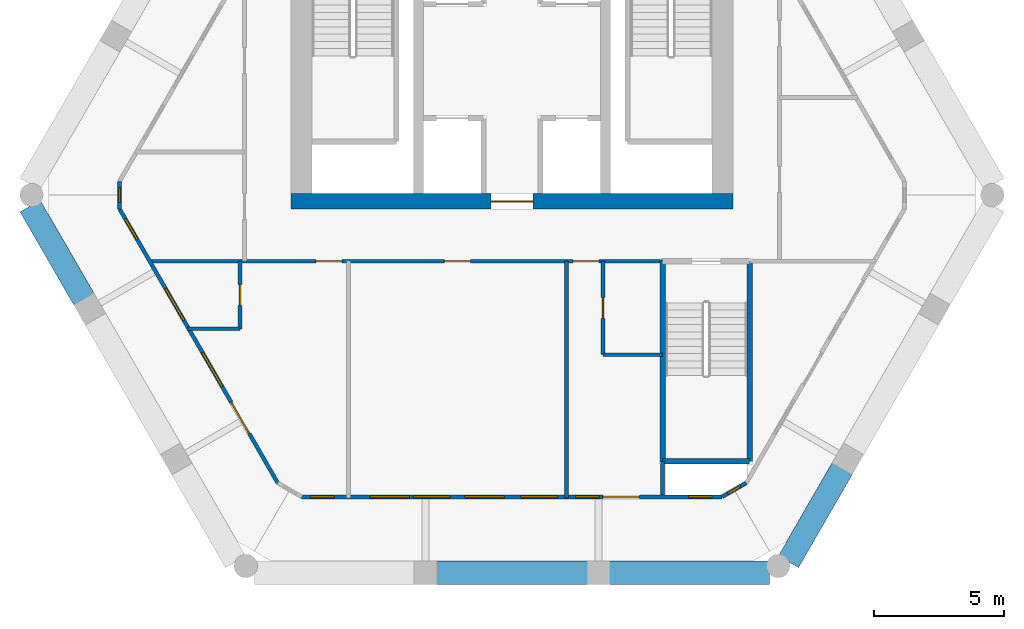
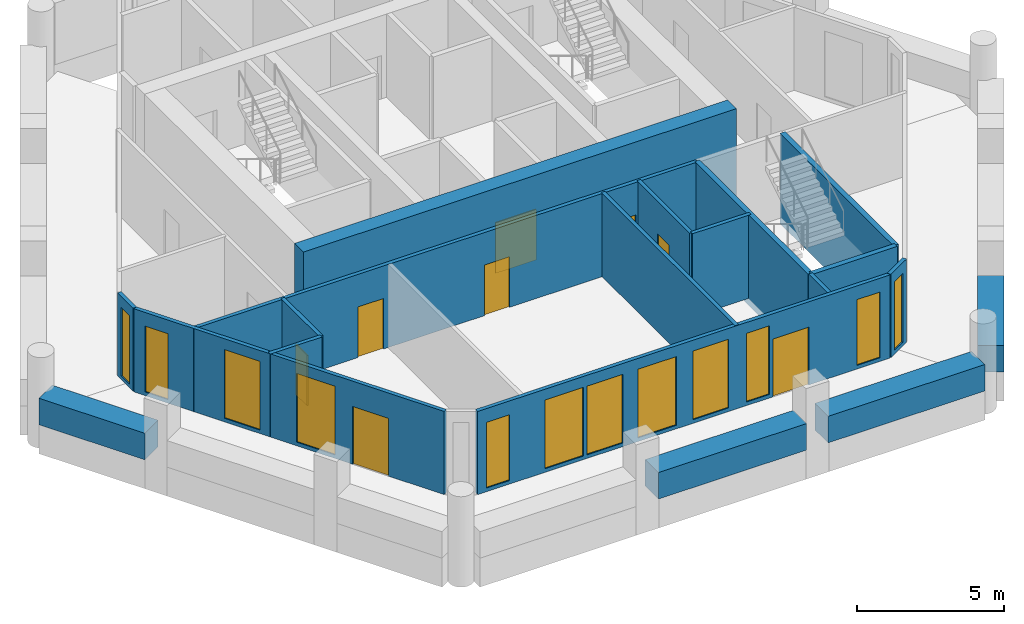
# One storey, part 2 of 6: 19 walls, 12 windows, 8 doors, 20 openings.
"""IFC4 building model written with IfcOpenShell, lengths in metres."""

from ifc_helpers import new_model, si_unit, direction, frame, frame_2d, origin, place, context, subcontext, project, spatial, rectangle, extrude, material, layer, layer_set, type_object, element, fill, save


model = new_model("IFC4")

# Units and contexts
model_context = context("Model", 3, precision=1e-05, world=origin(), true_north=direction((0.0, 1.0)))
body_context = subcontext(model_context, "Body", "Model", "MODEL_VIEW")
ifc_project = project(units=[si_unit("LENGTHUNIT", "METRE"), si_unit("AREAUNIT", "SQUARE_METRE"), si_unit("VOLUMEUNIT", "CUBIC_METRE"), si_unit("PLANEANGLEUNIT", "RADIAN"), si_unit("MASSUNIT", "GRAM", prefix="KILO")], contexts=[model_context])

# Site, building, storey
site_placement = place(None, origin())
site = spatial("IfcSite", under=ifc_project, at=site_placement, CompositionType="ELEMENT")
building_placement = place(site_placement, origin())
building = spatial("IfcBuilding", under=site, at=building_placement, Name="Ostrander Bayou Hotel Tower", CompositionType="ELEMENT")
storey_placement = place(building_placement, frame((0.0, 0.0, 271.25)))
storey = spatial("IfcBuildingStorey", under=building, at=storey_placement, Name="L67", CompositionType="ELEMENT", Elevation=271.25)

# Wall, opening, door
ifc_material_1 = material(Name="Concrete f'c 60 MPa", Category="concrete")
ifc_layer_1 = layer(ifc_material_1, 0.60009765625)
ifc_layer_set_1 = layer_set([ifc_layer_1], Name="CW10 core wall 600 mm f'c 60 MPa")
wall_type_1 = type_object("IfcWallType", Name="CW10 core wall 600 mm f'c 60 MPa", PredefinedType="SHEAR", material=ifc_layer_set_1)
wall_1_placement = place(storey_placement, frame((-8.5, -1.39990234375, -0.300048828125), z_axis=(0.0, 0.0, 1.0), x_axis=(1.0, 0.0, 0.0)))
wall_1 = element("IfcWall", 1, at=wall_1_placement, inside=storey, type_object=wall_type_1, Name="CW10 L67 S", PredefinedType="SHEAR", context=body_context, shape_type="SweptSolid", body=[
    extrude(rectangle(XDim=17.0, YDim=0.60009765625, at=frame_2d((8.5, 0.0))), origin(), (0.0, 0.0, 1.0), 3.75),
])
opening_1_placement = place(wall_1_placement, frame((7.699951171875, 0.0, 0.0)))
opening_1 = element("IfcOpeningElement", 2, at=opening_1_placement, cuts=wall_1, Name="Opening T66-005", PredefinedType="OPENING", context=body_context, shape_type="SweptSolid", body=[
    extrude(rectangle(XDim=1.60009765625, YDim=2.10009765625, at=frame_2d((0.800048828125, 1.050048828125))), frame((0.0, 0.300048828125, 0.0), z_axis=(0.0, -1.0, 0.0), x_axis=(1.0, 0.0, 0.0)), (0.0, 0.0, 1.0), 0.60009765625),
])
ifc_material_2 = material(Name="Timber door leaf", Category="wood")
door_type_1 = type_object("IfcDoorType", Name="D13 double door 1600 x 2100 mm, 1 hour", OperationType="SINGLE_SWING_LEFT", PredefinedType="DOOR", material=ifc_material_2)
door_1_placement = place(opening_1_placement, origin())
door_1 = element("IfcDoor", 3, at=door_1_placement, inside=storey, type_object=door_type_1, Name="dr:L67:005", OperationType="DOUBLE_DOOR_SINGLE_SWING", OverallHeight=2.10009765625, OverallWidth=1.60009765625, PredefinedType="DOOR", context=body_context, shape_type="SweptSolid", body=[
    extrude(rectangle(XDim=1.60009765625, YDim=2.10009765625, at=frame_2d((0.800048828125, 1.050048828125))), frame((0.0, 0.02490234375, 0.0), z_axis=(0.0, -1.0, 0.0), x_axis=(1.0, 0.0, 0.0)), (0.0, 0.0, 1.0), 0.050048828125),
])
fill(opening_1, door_1)

# Wall, openings, door, windows
ifc_material_3 = material(Name="Aluminium framed insulated wall", Category="aluminium")
ifc_layer_2 = layer(ifc_material_3, 0.14990234375)
ifc_layer_set_2 = layer_set([ifc_layer_2], Name="GW1 glass-line wall 150 mm")
wall_type_2 = type_object("IfcWallType", Name="GW1 glass-line wall 150 mm", PredefinedType="SOLIDWALL", material=ifc_layer_set_2)
wall_2_placement = place(storey_placement, frame((-15.10400390625, -1.68896484375, 0.0), z_axis=(0.0, 0.0, 1.0), x_axis=(0.499998361514, -0.866026349763, 0.0)))
wall_2 = element("IfcWall", 4, at=wall_2_placement, inside=storey, type_object=wall_type_2, Name="GW1 L67 SW 1", PredefinedType="SOLIDWALL", context=body_context, shape_type="SweptSolid", body=[
    extrude(rectangle(XDim=12.1787109375, YDim=0.14990234375, at=frame_2d((6.08935546875, 0.0))), origin(), (0.0, 0.0, 1.0), 3.449951171875),
])
opening_2_placement = place(wall_2_placement, frame((3.54833984375, 0.0, 0.14990234375)))
opening_2 = element("IfcOpeningElement", 5, at=opening_2_placement, cuts=wall_2, Name="Opening W14", PredefinedType="OPENING", context=body_context, shape_type="SweptSolid", body=[
    extrude(rectangle(XDim=1.39990234375, YDim=2.85009765625, at=frame_2d((0.699951171875, 1.425048828125))), frame((0.0, 0.074951171875, 0.0), z_axis=(0.0, -1.0, 0.0), x_axis=(1.0, 0.0, 0.0)), (0.0, 0.0, 1.0), 0.14990234375),
])
opening_3_placement = place(wall_2_placement, frame((6.389404296875, 0.0, 0.14990234375)))
opening_3 = element("IfcOpeningElement", 6, at=opening_3_placement, cuts=wall_2, Name="Opening W4", PredefinedType="OPENING", context=body_context, shape_type="SweptSolid", body=[
    extrude(rectangle(XDim=1.5, YDim=2.85009765625, at=frame_2d((0.75, 1.425048828125))), frame((0.0, 0.074951171875, 0.0), z_axis=(0.0, -1.0, 0.0), x_axis=(1.0, 0.0, 0.0)), (0.0, 0.0, 1.0), 0.14990234375),
])
opening_4_placement = place(wall_2_placement, frame((8.58935546875, 0.0, 0.0)))
opening_4 = element("IfcOpeningElement", 7, at=opening_4_placement, cuts=wall_2, Name="Opening T66-801", PredefinedType="OPENING", context=body_context, shape_type="SweptSolid", body=[
    extrude(rectangle(XDim=1.39990234375, YDim=2.39990234375, at=frame_2d((0.699951171875, 1.199951171875))), frame((0.0, 0.074951171875, 0.0), z_axis=(0.0, -1.0, 0.0), x_axis=(1.0, 0.0, 0.0)), (0.0, 0.0, 1.0), 0.14990234375),
])
opening_5_placement = place(wall_2_placement, frame((0.444580078125, 0.0, 0.14990234375)))
opening_5 = element("IfcOpeningElement", 8, at=opening_5_placement, cuts=wall_2, Name="Opening W18", PredefinedType="OPENING", context=body_context, shape_type="SweptSolid", body=[
    extrude(rectangle(XDim=0.89990234375, YDim=2.72998046875, at=frame_2d((0.449951171875, 1.364990234375))), frame((0.0, 0.074951171875, 0.0), z_axis=(0.0, -1.0, 0.0), x_axis=(1.0, 0.0, 0.0)), (0.0, 0.0, 1.0), 0.14990234375),
])
ifc_material_4 = material(Name="Aluminium and clear glass", Category="aluminium")
door_type_2 = type_object("IfcDoorType", Name="SD4 sliding glass door 1400 mm, zone 4", OperationType="SLIDING_TO_LEFT", PredefinedType="DOOR", material=ifc_material_4)
door_2_placement = place(opening_4_placement, origin())
door_2 = element("IfcDoor", 9, at=door_2_placement, inside=storey, type_object=door_type_2, Name="SD4 L67 SW 2", OperationType="SLIDING_TO_RIGHT", OverallHeight=2.39990234375, OverallWidth=1.39990234375, PredefinedType="DOOR", context=body_context, shape_type="SweptSolid", body=[
    extrude(rectangle(XDim=1.39990234375, YDim=2.39990234375, at=frame_2d((0.699951171875, 1.199951171875))), frame((0.0, 0.02490234375, 0.0), z_axis=(0.0, -1.0, 0.0), x_axis=(1.0, 0.0, 0.0)), (0.0, 0.0, 1.0), 0.050048828125),
])
fill(opening_4, door_2)
ifc_material_5 = material(Name="Aluminium and clear glass", Category="aluminium")
window_type_1 = type_object("IfcWindowType", Name="W14 fixed window 1400 mm, bath bay, zone 4", PartitioningType="SINGLE_PANEL", PredefinedType="WINDOW", material=ifc_material_5)
window_1_placement = place(opening_2_placement, origin())
window_1 = element("IfcWindow", 10, at=window_1_placement, inside=storey, type_object=window_type_1, Name="W14 L67 SW 1", OverallHeight=2.85009765625, OverallWidth=1.39990234375, PartitioningType="SINGLE_PANEL", PredefinedType="WINDOW", context=body_context, shape_type="SweptSolid", body=[
    extrude(rectangle(XDim=1.39990234375, YDim=2.85009765625, at=frame_2d((0.699951171875, 1.425048828125))), frame((0.0, 0.030029296875, 0.0), z_axis=(0.0, -1.0, 0.0), x_axis=(1.0, 0.0, 0.0)), (0.0, 0.0, 1.0), 0.06005859375),
])
fill(opening_2, window_1)
ifc_material_6 = material(Name="Aluminium and clear glass", Category="aluminium")
window_type_2 = type_object("IfcWindowType", Name="W18 window 900 mm, zone 4", PartitioningType="SINGLE_PANEL", PredefinedType="WINDOW", material=ifc_material_6)
window_2_placement = place(opening_5_placement, origin())
window_2 = element("IfcWindow", 11, at=window_2_placement, inside=storey, type_object=window_type_2, Name="W18 L67 SW E11", OverallHeight=2.72998046875, OverallWidth=0.89990234375, PartitioningType="SINGLE_PANEL", PredefinedType="WINDOW", context=body_context, shape_type="SweptSolid", body=[
    extrude(rectangle(XDim=0.89990234375, YDim=2.72998046875, at=frame_2d((0.449951171875, 1.364990234375))), frame((0.0, 0.030029296875, 0.0), z_axis=(0.0, -1.0, 0.0), x_axis=(1.0, 0.0, 0.0)), (0.0, 0.0, 1.0), 0.06005859375),
])
fill(opening_5, window_2)
ifc_material_7 = material(Name="Aluminium and clear glass", Category="aluminium")
window_type_3 = type_object("IfcWindowType", Name="W4 fixed window 1500 mm, zone 4", PartitioningType="SINGLE_PANEL", PredefinedType="WINDOW", material=ifc_material_7)
window_3_placement = place(opening_3_placement, origin())
window_3 = element("IfcWindow", 12, at=window_3_placement, inside=storey, type_object=window_type_3, Name="W4 L67 SW 2", OverallHeight=2.85009765625, OverallWidth=1.5, PartitioningType="SINGLE_PANEL", PredefinedType="WINDOW", context=body_context, shape_type="SweptSolid", body=[
    extrude(rectangle(XDim=1.5, YDim=2.85009765625, at=frame_2d((0.75, 1.425048828125))), frame((0.0, 0.030029296875, 0.0), z_axis=(0.0, -1.0, 0.0), x_axis=(1.0, 0.0, 0.0)), (0.0, 0.0, 1.0), 0.06005859375),
])
fill(opening_3, window_3)

wall_3_placement = place(storey_placement, frame((-8.09228515625, -12.7685546875, 0.0), z_axis=(0.0, 0.0, 1.0), x_axis=(1.0, 0.0, 0.0)))
wall_3 = element("IfcWall", 13, at=wall_3_placement, inside=storey, type_object=wall_type_2, Name="GW1 L67 S 1", PredefinedType="SOLIDWALL", context=body_context, shape_type="SweptSolid", body=[
    extrude(rectangle(XDim=16.1845703125, YDim=0.14990234375, at=frame_2d((8.09228515625, 0.0))), origin(), (0.0, 0.0, 1.0), 3.449951171875),
])
opening_6_placement = place(wall_3_placement, frame((2.642333984375, 0.0, 0.14990234375)))
opening_6 = element("IfcOpeningElement", 14, at=opening_6_placement, cuts=wall_3, Name="Opening W4", PredefinedType="OPENING", context=body_context, shape_type="SweptSolid", body=[
    extrude(rectangle(XDim=1.5, YDim=2.85009765625, at=frame_2d((0.75, 1.425048828125))), frame((0.0, 0.074951171875, 0.0), z_axis=(0.0, -1.0, 0.0), x_axis=(1.0, 0.0, 0.0)), (0.0, 0.0, 1.0), 0.14990234375),
])
opening_7_placement = place(wall_3_placement, frame((4.29248046875, 0.0, 0.14990234375)))
opening_7 = element("IfcOpeningElement", 15, at=opening_7_placement, cuts=wall_3, Name="Opening W14", PredefinedType="OPENING", context=body_context, shape_type="SweptSolid", body=[
    extrude(rectangle(XDim=1.39990234375, YDim=2.85009765625, at=frame_2d((0.699951171875, 1.425048828125))), frame((0.0, 0.074951171875, 0.0), z_axis=(0.0, -1.0, 0.0), x_axis=(1.0, 0.0, 0.0)), (0.0, 0.0, 1.0), 0.14990234375),
])
opening_8_placement = place(wall_3_placement, frame((6.29248046875, 0.0, 0.14990234375)))
opening_8 = element("IfcOpeningElement", 16, at=opening_8_placement, cuts=wall_3, Name="Opening W4", PredefinedType="OPENING", context=body_context, shape_type="SweptSolid", body=[
    extrude(rectangle(XDim=1.5, YDim=2.85009765625, at=frame_2d((0.75, 1.425048828125))), frame((0.0, 0.074951171875, 0.0), z_axis=(0.0, -1.0, 0.0), x_axis=(1.0, 0.0, 0.0)), (0.0, 0.0, 1.0), 0.14990234375),
])
opening_9_placement = place(wall_3_placement, frame((8.4423828125, 0.0, 0.14990234375)))
opening_9 = element("IfcOpeningElement", 17, at=opening_9_placement, cuts=wall_3, Name="Opening W14", PredefinedType="OPENING", context=body_context, shape_type="SweptSolid", body=[
    extrude(rectangle(XDim=1.39990234375, YDim=2.85009765625, at=frame_2d((0.699951171875, 1.425048828125))), frame((0.0, 0.074951171875, 0.0), z_axis=(0.0, -1.0, 0.0), x_axis=(1.0, 0.0, 0.0)), (0.0, 0.0, 1.0), 0.14990234375),
])
opening_10_placement = place(wall_3_placement, frame((10.54248046875, 0.0, 0.14990234375)))
opening_10 = element("IfcOpeningElement", 18, at=opening_10_placement, cuts=wall_3, Name="Opening W18", PredefinedType="OPENING", context=body_context, shape_type="SweptSolid", body=[
    extrude(rectangle(XDim=0.89990234375, YDim=2.85009765625, at=frame_2d((0.449951171875, 1.425048828125))), frame((0.0, 0.074951171875, 0.0), z_axis=(0.0, -1.0, 0.0), x_axis=(1.0, 0.0, 0.0)), (0.0, 0.0, 1.0), 0.14990234375),
])
opening_11_placement = place(wall_3_placement, frame((11.59228515625, 0.0, 0.0)))
opening_11 = element("IfcOpeningElement", 19, at=opening_11_placement, cuts=wall_3, Name="Opening T66-802", PredefinedType="OPENING", context=body_context, shape_type="SweptSolid", body=[
    extrude(rectangle(XDim=1.39990234375, YDim=2.39990234375, at=frame_2d((0.699951171875, 1.199951171875))), frame((0.0, 0.074951171875, 0.0), z_axis=(0.0, -1.0, 0.0), x_axis=(1.0, 0.0, 0.0)), (0.0, 0.0, 1.0), 0.14990234375),
])
opening_12_placement = place(wall_3_placement, frame((0.34619140625, 0.0, 0.14990234375)))
opening_12 = element("IfcOpeningElement", 20, at=opening_12_placement, cuts=wall_3, Name="Opening W18", PredefinedType="OPENING", context=body_context, shape_type="SweptSolid", body=[
    extrude(rectangle(XDim=0.89990234375, YDim=2.72998046875, at=frame_2d((0.449951171875, 1.364990234375))), frame((0.0, 0.074951171875, 0.0), z_axis=(0.0, -1.0, 0.0), x_axis=(1.0, 0.0, 0.0)), (0.0, 0.0, 1.0), 0.14990234375),
])
opening_13_placement = place(wall_3_placement, frame((14.888671875, 0.0, 0.14990234375)))
opening_13 = element("IfcOpeningElement", 21, at=opening_13_placement, cuts=wall_3, Name="Opening W18", PredefinedType="OPENING", context=body_context, shape_type="SweptSolid", body=[
    extrude(rectangle(XDim=0.89990234375, YDim=2.72998046875, at=frame_2d((0.449951171875, 1.364990234375))), frame((0.0, 0.074951171875, 0.0), z_axis=(0.0, -1.0, 0.0), x_axis=(1.0, 0.0, 0.0)), (0.0, 0.0, 1.0), 0.14990234375),
])
door_3_placement = place(opening_11_placement, origin())
door_3 = element("IfcDoor", 22, at=door_3_placement, inside=storey, type_object=door_type_2, Name="SD4 L67 S 3", OperationType="SLIDING_TO_LEFT", OverallHeight=2.39990234375, OverallWidth=1.39990234375, PredefinedType="DOOR", context=body_context, shape_type="SweptSolid", body=[
    extrude(rectangle(XDim=1.39990234375, YDim=2.39990234375, at=frame_2d((0.699951171875, 1.199951171875))), frame((0.0, 0.02490234375, 0.0), z_axis=(0.0, -1.0, 0.0), x_axis=(1.0, 0.0, 0.0)), (0.0, 0.0, 1.0), 0.050048828125),
])
fill(opening_11, door_3)
window_4_placement = place(opening_7_placement, origin())
window_4 = element("IfcWindow", 23, at=window_4_placement, inside=storey, type_object=window_type_1, Name="W14 L67 S 1", OverallHeight=2.85009765625, OverallWidth=1.39990234375, PartitioningType="SINGLE_PANEL", PredefinedType="WINDOW", context=body_context, shape_type="SweptSolid", body=[
    extrude(rectangle(XDim=1.39990234375, YDim=2.85009765625, at=frame_2d((0.699951171875, 1.425048828125))), frame((0.0, 0.030029296875, 0.0), z_axis=(0.0, -1.0, 0.0), x_axis=(1.0, 0.0, 0.0)), (0.0, 0.0, 1.0), 0.06005859375),
])
fill(opening_7, window_4)
window_5_placement = place(opening_9_placement, origin())
window_5 = element("IfcWindow", 24, at=window_5_placement, inside=storey, type_object=window_type_1, Name="W14 L67 S 2", OverallHeight=2.85009765625, OverallWidth=1.39990234375, PartitioningType="SINGLE_PANEL", PredefinedType="WINDOW", context=body_context, shape_type="SweptSolid", body=[
    extrude(rectangle(XDim=1.39990234375, YDim=2.85009765625, at=frame_2d((0.699951171875, 1.425048828125))), frame((0.0, 0.030029296875, 0.0), z_axis=(0.0, -1.0, 0.0), x_axis=(1.0, 0.0, 0.0)), (0.0, 0.0, 1.0), 0.06005859375),
])
fill(opening_9, window_5)
window_6_placement = place(opening_10_placement, origin())
window_6 = element("IfcWindow", 25, at=window_6_placement, inside=storey, type_object=window_type_2, Name="W18 L67 S 3", OverallHeight=2.85009765625, OverallWidth=0.89990234375, PartitioningType="SINGLE_PANEL", PredefinedType="WINDOW", context=body_context, shape_type="SweptSolid", body=[
    extrude(rectangle(XDim=0.89990234375, YDim=2.85009765625, at=frame_2d((0.449951171875, 1.425048828125))), frame((0.0, 0.030029296875, 0.0), z_axis=(0.0, -1.0, 0.0), x_axis=(1.0, 0.0, 0.0)), (0.0, 0.0, 1.0), 0.06005859375),
])
fill(opening_10, window_6)
window_7_placement = place(opening_12_placement, origin())
window_7 = element("IfcWindow", 26, at=window_7_placement, inside=storey, type_object=window_type_2, Name="W18 L67 S E11", OverallHeight=2.72998046875, OverallWidth=0.89990234375, PartitioningType="SINGLE_PANEL", PredefinedType="WINDOW", context=body_context, shape_type="SweptSolid", body=[
    extrude(rectangle(XDim=0.89990234375, YDim=2.72998046875, at=frame_2d((0.449951171875, 1.364990234375))), frame((0.0, 0.030029296875, 0.0), z_axis=(0.0, -1.0, 0.0), x_axis=(1.0, 0.0, 0.0)), (0.0, 0.0, 1.0), 0.06005859375),
])
fill(opening_12, window_7)
window_8_placement = place(opening_13_placement, origin())
window_8 = element("IfcWindow", 27, at=window_8_placement, inside=storey, type_object=window_type_2, Name="W18 L67 S E21", OverallHeight=2.72998046875, OverallWidth=0.89990234375, PartitioningType="SINGLE_PANEL", PredefinedType="WINDOW", context=body_context, shape_type="SweptSolid", body=[
    extrude(rectangle(XDim=0.89990234375, YDim=2.72998046875, at=frame_2d((0.449951171875, 1.364990234375))), frame((0.0, 0.030029296875, 0.0), z_axis=(0.0, -1.0, 0.0), x_axis=(1.0, 0.0, 0.0)), (0.0, 0.0, 1.0), 0.06005859375),
])
fill(opening_13, window_8)
window_9_placement = place(opening_6_placement, origin())
window_9 = element("IfcWindow", 28, at=window_9_placement, inside=storey, type_object=window_type_3, Name="W4 L67 S 1", OverallHeight=2.85009765625, OverallWidth=1.5, PartitioningType="SINGLE_PANEL", PredefinedType="WINDOW", context=body_context, shape_type="SweptSolid", body=[
    extrude(rectangle(XDim=1.5, YDim=2.85009765625, at=frame_2d((0.75, 1.425048828125))), frame((0.0, 0.030029296875, 0.0), z_axis=(0.0, -1.0, 0.0), x_axis=(1.0, 0.0, 0.0)), (0.0, 0.0, 1.0), 0.06005859375),
])
fill(opening_6, window_9)
window_10_placement = place(opening_8_placement, origin())
window_10 = element("IfcWindow", 29, at=window_10_placement, inside=storey, type_object=window_type_3, Name="W4 L67 S 2", OverallHeight=2.85009765625, OverallWidth=1.5, PartitioningType="SINGLE_PANEL", PredefinedType="WINDOW", context=body_context, shape_type="SweptSolid", body=[
    extrude(rectangle(XDim=1.5, YDim=2.85009765625, at=frame_2d((0.75, 1.425048828125))), frame((0.0, 0.030029296875, 0.0), z_axis=(0.0, -1.0, 0.0), x_axis=(1.0, 0.0, 0.0)), (0.0, 0.0, 1.0), 0.06005859375),
])
fill(opening_8, window_10)

# Wall, opening, window
wall_4_placement = place(storey_placement, frame((-15.10400390625, -0.6240234375, 0.0), z_axis=(0.0, 0.0, 1.0), x_axis=(0.0, -1.0, 0.0)))
wall_4 = element("IfcWall", 30, at=wall_4_placement, inside=storey, type_object=wall_type_2, Name="GW1 L67 corner 2", PredefinedType="SOLIDWALL", context=body_context, shape_type="SweptSolid", body=[
    extrude(rectangle(XDim=1.06494140625, YDim=0.14990234375, at=frame_2d((0.532470703125, 0.0))), origin(), (0.0, 0.0, 1.0), 3.449951171875),
])
opening_14_placement = place(wall_4_placement, frame((0.257568359375, 0.0, 0.14990234375)))
opening_14 = element("IfcOpeningElement", 31, at=opening_14_placement, cuts=wall_4, Name="Opening W19", PredefinedType="OPENING", context=body_context, shape_type="SweptSolid", body=[
    extrude(rectangle(XDim=0.550048828125, YDim=2.85009765625, at=frame_2d((0.27490234375, 1.425048828125))), frame((0.0, 0.074951171875, 0.0), z_axis=(0.0, -1.0, 0.0), x_axis=(1.0, 0.0, 0.0)), (0.0, 0.0, 1.0), 0.14990234375),
])
ifc_material_8 = material(Name="Aluminium and clear glass", Category="aluminium")
window_type_4 = type_object("IfcWindowType", Name="W19 corner window 550 mm", PartitioningType="SINGLE_PANEL", PredefinedType="WINDOW", material=ifc_material_8)
window_11_placement = place(opening_14_placement, origin())
window_11 = element("IfcWindow", 32, at=window_11_placement, inside=storey, type_object=window_type_4, Name="W19 L67 corner 2", OverallHeight=2.85009765625, OverallWidth=0.550048828125, PartitioningType="SINGLE_PANEL", PredefinedType="WINDOW", context=body_context, shape_type="SweptSolid", body=[
    extrude(rectangle(XDim=0.550048828125, YDim=2.85009765625, at=frame_2d((0.27490234375, 1.425048828125))), frame((0.0, 0.030029296875, 0.0), z_axis=(0.0, -1.0, 0.0), x_axis=(1.0, 0.0, 0.0)), (0.0, 0.0, 1.0), 0.06005859375),
])
fill(opening_14, window_11)

wall_5_placement = place(storey_placement, frame((8.09228515625, -12.7685546875, 0.0), z_axis=(0.0, 0.0, 1.0), x_axis=(0.866048165231, 0.499960573946, 0.0)))
wall_5 = element("IfcWall", 33, at=wall_5_placement, inside=storey, type_object=wall_type_2, Name="GW1 L67 corner 4", PredefinedType="SOLIDWALL", context=body_context, shape_type="SweptSolid", body=[
    extrude(rectangle(XDim=1.06494140625, YDim=0.14990234375, at=frame_2d((0.532470703125, 0.0))), origin(), (0.0, 0.0, 1.0), 3.449951171875),
])
opening_15_placement = place(wall_5_placement, frame((0.257568359375, 0.0, 0.14990234375)))
opening_15 = element("IfcOpeningElement", 34, at=opening_15_placement, cuts=wall_5, Name="Opening W19", PredefinedType="OPENING", context=body_context, shape_type="SweptSolid", body=[
    extrude(rectangle(XDim=0.550048828125, YDim=2.85009765625, at=frame_2d((0.27490234375, 1.425048828125))), frame((0.0, 0.074951171875, 0.0), z_axis=(0.0, -1.0, 0.0), x_axis=(1.0, 0.0, 0.0)), (0.0, 0.0, 1.0), 0.14990234375),
])
window_12_placement = place(opening_15_placement, origin())
window_12 = element("IfcWindow", 35, at=window_12_placement, inside=storey, type_object=window_type_4, Name="W19 L67 corner 4", OverallHeight=2.85009765625, OverallWidth=0.550048828125, PartitioningType="SINGLE_PANEL", PredefinedType="WINDOW", context=body_context, shape_type="SweptSolid", body=[
    extrude(rectangle(XDim=0.550048828125, YDim=2.85009765625, at=frame_2d((0.27490234375, 1.425048828125))), frame((0.0, 0.030029296875, 0.0), z_axis=(0.0, -1.0, 0.0), x_axis=(1.0, 0.0, 0.0)), (0.0, 0.0, 1.0), 0.06005859375),
])
fill(opening_15, window_12)

# Walls
ifc_material_9 = material(Name="Concrete f'c 40 MPa", Category="concrete")
ifc_layer_3 = layer(ifc_material_9, 0.89990234375)
ifc_layer_set_3 = layer_set([ifc_layer_3], Name="PA1 stone-faced parapet 900 mm")
wall_type_3 = type_object("IfcWallType", Name="PA1 stone-faced parapet 900 mm", PredefinedType="PARAPET", material=ifc_layer_set_3)
wall_6_placement = place(storey_placement, frame((-2.909423828125, -15.693603515625, 0.0), z_axis=(0.0, 0.0, 1.0), x_axis=(1.0, 0.0, 0.0)))
element("IfcWall", 36, at=wall_6_placement, inside=storey, type_object=wall_type_3, Name="PA1 L67 S-2", PredefinedType="PARAPET", context=body_context, shape_type="SweptSolid", body=[
    extrude(rectangle(XDim=5.81884765625, YDim=0.89990234375, at=frame_2d((2.909423828125, 0.0))), origin(), (0.0, 0.0, 1.0), 1.10009765625),
])
wall_7_placement = place(storey_placement, frame((3.74951171875, -15.693603515625, 0.0), z_axis=(0.0, 0.0, 1.0), x_axis=(1.0, 0.0, 0.0)))
element("IfcWall", 37, at=wall_7_placement, inside=storey, type_object=wall_type_3, Name="PA1 L67 S-3", PredefinedType="PARAPET", context=body_context, shape_type="SweptSolid", body=[
    extrude(rectangle(XDim=6.1591796875, YDim=0.89990234375, at=frame_2d((3.07958984375, 0.0))), origin(), (0.0, 0.0, 1.0), 1.10009765625),
])
ifc_material_10 = material(Name="Limestone masonry", Category="masonry")
ifc_layer_4 = layer(ifc_material_10, 0.89990234375)
ifc_layer_set_4 = layer_set([ifc_layer_4], Name="PA2 limestone parapet 900 mm")
wall_type_4 = type_object("IfcWallType", Name="PA2 limestone parapet 900 mm", PredefinedType="PARAPET", material=ifc_layer_set_4)
wall_8_placement = place(storey_placement, frame((-18.54541015625, -1.578369140625, 0.0), z_axis=(0.0, 0.0, 1.0), x_axis=(0.499980071345, -0.866036909293, 0.0)))
element("IfcWall", 38, at=wall_8_placement, inside=storey, type_object=wall_type_4, Name="PA2 L67 SW-1", PredefinedType="PARAPET", context=body_context, shape_type="SweptSolid", body=[
    extrude(rectangle(XDim=4.156494140625, YDim=0.89990234375, at=frame_2d((2.078125, 0.0))), origin(), (0.0, 0.0, 1.0), 1.10009765625),
])
wall_9_placement = place(storey_placement, frame((10.6396484375, -15.271484375, 0.0), z_axis=(0.0, 0.0, 1.0), x_axis=(0.50000550616, 0.866022224778, 0.0)))
element("IfcWall", 39, at=wall_9_placement, inside=storey, type_object=wall_type_4, Name="PA2 L67 SE-1", PredefinedType="PARAPET", context=body_context, shape_type="SweptSolid", body=[
    extrude(rectangle(XDim=4.15625, YDim=0.89990234375, at=frame_2d((2.078125, 0.0))), origin(), (0.0, 0.0, 1.0), 1.10009765625),
])
ifc_material_11 = material(Name="Gypsum board partition", Category="finish")
ifc_layer_5 = layer(ifc_material_11, 0.14990234375)
ifc_layer_set_5 = layer_set([ifc_layer_5], Name="PT7 riser wall 150 mm, 2 hour")
wall_type_5 = type_object("IfcWallType", Name="PT7 riser wall 150 mm, 2 hour", PredefinedType="PARTITIONING", material=ifc_layer_set_5)
wall_10_placement = place(storey_placement, frame((5.800048828125, -11.39990234375, 0.0), z_axis=(0.0, 0.0, 1.0), x_axis=(0.0, -1.0, 0.0)))
element("IfcWall", 40, at=wall_10_placement, inside=storey, type_object=wall_type_5, Name="cs:L67:017", PredefinedType="PARTITIONING", context=body_context, shape_type="SweptSolid", body=[
    extrude(rectangle(XDim=1.293701171875, YDim=0.14990234375, at=frame_2d((0.64697265625, 0.0))), origin(), (0.0, 0.0, 1.0), 3.449951171875),
])
ifc_material_12 = material(Name="Gypsum board partition", Category="finish")
ifc_layer_6 = layer(ifc_material_12, 0.14990234375)
ifc_layer_set_6 = layer_set([ifc_layer_6], Name="PT8 service band wall 150 mm, 1 hour")
wall_type_6 = type_object("IfcWallType", Name="PT8 service band wall 150 mm, 1 hour", PredefinedType="PARTITIONING", material=ifc_layer_set_6)
wall_11_placement = place(storey_placement, frame((3.5, -7.300048828125, 0.0), z_axis=(0.0, 0.0, 1.0), x_axis=(1.0, 0.0, 0.0)))
element("IfcWall", 41, at=wall_11_placement, inside=storey, type_object=wall_type_6, Name="gw:L67:001", PredefinedType="PARTITIONING", context=body_context, shape_type="SweptSolid", body=[
    extrude(rectangle(XDim=2.2900390625, YDim=0.14990234375, at=frame_2d((1.14501953125, 0.0))), origin(), (0.0, 0.0, 1.0), 3.449951171875),
])
wall_12_placement = place(storey_placement, frame((-12.493896484375, -6.300048828125, 0.0), z_axis=(0.0, 0.0, 1.0), x_axis=(1.0, 0.0, 0.0)))
element("IfcWall", 42, at=wall_12_placement, inside=storey, type_object=wall_type_6, Name="gw:L67:002", PredefinedType="PARTITIONING", context=body_context, shape_type="SweptSolid", body=[
    extrude(rectangle(XDim=2.02880859375, YDim=0.14990234375, at=frame_2d((1.014404296875, 0.0))), origin(), (0.0, 0.0, 1.0), 3.449951171875),
])

# Wall, openings, doors
wall_13_placement = place(storey_placement, frame((-13.9951171875, -3.699951171875, 0.0), z_axis=(0.0, 0.0, 1.0), x_axis=(1.0, 0.0, 0.0)))
wall_13 = element("IfcWall", 43, at=wall_13_placement, inside=storey, type_object=wall_type_6, Name="gw:L67:003", PredefinedType="PARTITIONING", context=body_context, shape_type="SweptSolid", body=[
    extrude(rectangle(XDim=19.78515625, YDim=0.14990234375, at=frame_2d((9.892578125, 0.0))), origin(), (0.0, 0.0, 1.0), 3.449951171875),
])
opening_16_placement = place(wall_13_placement, frame((11.39501953125, 0.0, 0.0)))
opening_16 = element("IfcOpeningElement", 44, at=opening_16_placement, cuts=wall_13, Name="Opening T66-400", PredefinedType="OPENING", context=body_context, shape_type="SweptSolid", body=[
    extrude(rectangle(XDim=1.0, YDim=2.10009765625, at=frame_2d((0.5, 1.050048828125))), frame((0.0, 0.074951171875, 0.0), z_axis=(0.0, -1.0, 0.0), x_axis=(1.0, 0.0, 0.0)), (0.0, 0.0, 1.0), 0.14990234375),
])
opening_17_placement = place(wall_13_placement, frame((6.445068359375, 0.0, 0.0)))
opening_17 = element("IfcOpeningElement", 45, at=opening_17_placement, cuts=wall_13, Name="Opening T66-401", PredefinedType="OPENING", context=body_context, shape_type="SweptSolid", body=[
    extrude(rectangle(XDim=1.0, YDim=2.10009765625, at=frame_2d((0.5, 1.050048828125))), frame((0.0, 0.074951171875, 0.0), z_axis=(0.0, -1.0, 0.0), x_axis=(1.0, 0.0, 0.0)), (0.0, 0.0, 1.0), 0.14990234375),
])
opening_18_placement = place(wall_13_placement, frame((16.344970703125, 0.0, 0.0)))
opening_18 = element("IfcOpeningElement", 46, at=opening_18_placement, cuts=wall_13, Name="Opening T66-403", PredefinedType="OPENING", context=body_context, shape_type="SweptSolid", body=[
    extrude(rectangle(XDim=1.0, YDim=2.10009765625, at=frame_2d((0.5, 1.050048828125))), frame((0.0, 0.074951171875, 0.0), z_axis=(0.0, -1.0, 0.0), x_axis=(1.0, 0.0, 0.0)), (0.0, 0.0, 1.0), 0.14990234375),
])
ifc_material_13 = material(Name="Timber door leaf", Category="wood")
door_type_3 = type_object("IfcDoorType", Name="D1 guest room door 1000 x 2100 mm, 30 minute", OperationType="SINGLE_SWING_LEFT", PredefinedType="DOOR", material=ifc_material_13)
door_4_placement = place(opening_17_placement, origin())
door_4 = element("IfcDoor", 47, at=door_4_placement, inside=storey, type_object=door_type_3, Name="dr:L67:401", OperationType="SINGLE_SWING_RIGHT", OverallHeight=2.10009765625, OverallWidth=1.0, PredefinedType="DOOR", context=body_context, shape_type="SweptSolid", body=[
    extrude(rectangle(XDim=1.0, YDim=2.10009765625, at=frame_2d((0.5, 1.050048828125))), frame((0.0, 0.02490234375, 0.0), z_axis=(0.0, -1.0, 0.0), x_axis=(1.0, 0.0, 0.0)), (0.0, 0.0, 1.0), 0.050048828125),
])
fill(opening_17, door_4)
door_5_placement = place(opening_18_placement, origin())
door_5 = element("IfcDoor", 48, at=door_5_placement, inside=storey, type_object=door_type_3, Name="dr:L67:403", OperationType="SINGLE_SWING_LEFT", OverallHeight=2.10009765625, OverallWidth=1.0, PredefinedType="DOOR", context=body_context, shape_type="SweptSolid", body=[
    extrude(rectangle(XDim=1.0, YDim=2.10009765625, at=frame_2d((0.5, 1.050048828125))), frame((0.0, 0.02490234375, 0.0), z_axis=(0.0, -1.0, 0.0), x_axis=(1.0, 0.0, 0.0)), (0.0, 0.0, 1.0), 0.050048828125),
])
fill(opening_18, door_5)
ifc_material_14 = material(Name="Timber door leaf", Category="wood")
door_type_4 = type_object("IfcDoorType", Name="D15 room door 1000 x 2100 mm", OperationType="SINGLE_SWING_LEFT", PredefinedType="DOOR", material=ifc_material_14)
door_6_placement = place(opening_16_placement, origin())
door_6 = element("IfcDoor", 49, at=door_6_placement, inside=storey, type_object=door_type_4, Name="dr:L67:400", OperationType="SINGLE_SWING_LEFT", OverallHeight=2.10009765625, OverallWidth=1.0, PredefinedType="DOOR", context=body_context, shape_type="SweptSolid", body=[
    extrude(rectangle(XDim=1.0, YDim=2.10009765625, at=frame_2d((0.5, 1.050048828125))), frame((0.0, 0.02490234375, 0.0), z_axis=(0.0, -1.0, 0.0), x_axis=(1.0, 0.0, 0.0)), (0.0, 0.0, 1.0), 0.050048828125),
])
fill(opening_16, door_6)

# Wall, opening, door
wall_14_placement = place(storey_placement, frame((3.5, -7.300048828125, 0.0), z_axis=(0.0, 0.0, 1.0), x_axis=(0.0, 1.0, 0.0)))
wall_14 = element("IfcWall", 50, at=wall_14_placement, inside=storey, type_object=wall_type_6, Name="gw:L67:009", PredefinedType="PARTITIONING", context=body_context, shape_type="SweptSolid", body=[
    extrude(rectangle(XDim=3.60009765625, YDim=0.14990234375, at=frame_2d((1.800048828125, 0.0))), origin(), (0.0, 0.0, 1.0), 3.449951171875),
])
opening_19_placement = place(wall_14_placement, frame((1.39990234375, 0.0, 0.0)))
opening_19 = element("IfcOpeningElement", 51, at=opening_19_placement, cuts=wall_14, Name="Opening T66-404", PredefinedType="OPENING", context=body_context, shape_type="SweptSolid", body=[
    extrude(rectangle(XDim=0.800048828125, YDim=2.10009765625, at=frame_2d((0.39990234375, 1.050048828125))), frame((0.0, 0.074951171875, 0.0), z_axis=(0.0, -1.0, 0.0), x_axis=(1.0, 0.0, 0.0)), (0.0, 0.0, 1.0), 0.14990234375),
])
ifc_material_15 = material(Name="Timber door leaf", Category="wood")
door_type_5 = type_object("IfcDoorType", Name="D2 bathroom door 800 x 2100 mm", OperationType="SINGLE_SWING_LEFT", PredefinedType="DOOR", material=ifc_material_15)
door_7_placement = place(opening_19_placement, origin())
door_7 = element("IfcDoor", 52, at=door_7_placement, inside=storey, type_object=door_type_5, Name="dr:L67:404", OperationType="SINGLE_SWING_RIGHT", OverallHeight=2.10009765625, OverallWidth=0.800048828125, PredefinedType="DOOR", context=body_context, shape_type="SweptSolid", body=[
    extrude(rectangle(XDim=0.800048828125, YDim=2.10009765625, at=frame_2d((0.39990234375, 1.050048828125))), frame((0.0, 0.02490234375, 0.0), z_axis=(0.0, -1.0, 0.0), x_axis=(1.0, 0.0, 0.0)), (0.0, 0.0, 1.0), 0.050048828125),
])
fill(opening_19, door_7)

# Wall
wall_15_placement = place(storey_placement, frame((2.10009765625, -12.81396484375, 0.0), z_axis=(0.0, 0.0, 1.0), x_axis=(0.0, 1.0, 0.0)))
element("IfcWall", 53, at=wall_15_placement, inside=storey, type_object=wall_type_6, Name="gw:L67:010", PredefinedType="PARTITIONING", context=body_context, shape_type="SweptSolid", body=[
    extrude(rectangle(XDim=9.114013671875, YDim=0.14990234375, at=frame_2d((4.55712890625, 0.0))), origin(), (0.0, 0.0, 1.0), 3.449951171875),
])

# Wall, opening, door
wall_16_placement = place(storey_placement, frame((-10.465087890625, -6.300048828125, 0.0), z_axis=(0.0, 0.0, 1.0), x_axis=(0.0, 1.0, 0.0)))
wall_16 = element("IfcWall", 54, at=wall_16_placement, inside=storey, type_object=wall_type_6, Name="gw:L67:013", PredefinedType="PARTITIONING", context=body_context, shape_type="SweptSolid", body=[
    extrude(rectangle(XDim=2.60009765625, YDim=0.14990234375, at=frame_2d((1.300048828125, 0.0))), origin(), (0.0, 0.0, 1.0), 3.449951171875),
])
opening_20_placement = place(wall_16_placement, frame((0.89990234375, 0.0, 0.0)))
opening_20 = element("IfcOpeningElement", 55, at=opening_20_placement, cuts=wall_16, Name="Opening T66-402", PredefinedType="OPENING", context=body_context, shape_type="SweptSolid", body=[
    extrude(rectangle(XDim=0.800048828125, YDim=2.10009765625, at=frame_2d((0.39990234375, 1.050048828125))), frame((0.0, 0.074951171875, 0.0), z_axis=(0.0, -1.0, 0.0), x_axis=(1.0, 0.0, 0.0)), (0.0, 0.0, 1.0), 0.14990234375),
])
door_8_placement = place(opening_20_placement, origin())
door_8 = element("IfcDoor", 56, at=door_8_placement, inside=storey, type_object=door_type_5, Name="dr:L67:402", OperationType="SINGLE_SWING_RIGHT", OverallHeight=2.10009765625, OverallWidth=0.800048828125, PredefinedType="DOOR", context=body_context, shape_type="SweptSolid", body=[
    extrude(rectangle(XDim=0.800048828125, YDim=2.10009765625, at=frame_2d((0.39990234375, 1.050048828125))), frame((0.0, 0.02490234375, 0.0), z_axis=(0.0, -1.0, 0.0), x_axis=(1.0, 0.0, 0.0)), (0.0, 0.0, 1.0), 0.050048828125),
])
fill(opening_20, door_8)

# Walls
ifc_material_16 = material(Name="Concrete f'c 45 MPa", Category="concrete")
ifc_layer_7 = layer(ifc_material_16, 0.199951171875)
ifc_layer_set_7 = layer_set([ifc_layer_7], Name="SW5 stair enclosure wall 200 mm f'c 45 MPa")
wall_type_7 = type_object("IfcWallType", Name="SW5 stair enclosure wall 200 mm f'c 45 MPa", PredefinedType="SOLIDWALL", material=ifc_layer_set_7)
for number, where, z_axis, x_axis, name in (
    (57, (5.800048828125, -3.699951171875, -0.300048828125), (0.0, 0.0, 1.0), (0.0, -1.0, 0.0), "cs:L67:014"),
    (58, (9.14990234375, -3.699951171875, -0.300048828125), (0.0, 0.0, 1.0), (0.0, -1.0, 0.0), "cs:L67:015"),
):
    element("IfcWall", number, at=place(storey_placement, frame(where, z_axis=z_axis, x_axis=x_axis)), inside=storey, type_object=wall_type_7, Name=name, PredefinedType="SOLIDWALL", context=body_context, shape_type="SweptSolid", body=[
        extrude(rectangle(XDim=7.699951171875, YDim=0.199951171875, at=frame_2d((3.85009765625, 0.0))), origin(), (0.0, 0.0, 1.0), 3.75),
    ])
wall_17_placement = place(storey_placement, frame((5.800048828125, -11.39990234375, -0.300048828125), z_axis=(0.0, 0.0, 1.0), x_axis=(1.0, 0.0, 0.0)))
element("IfcWall", 59, at=wall_17_placement, inside=storey, type_object=wall_type_7, Name="cs:L67:016", PredefinedType="SOLIDWALL", context=body_context, shape_type="SweptSolid", body=[
    extrude(rectangle(XDim=3.349853515625, YDim=0.199951171875, at=frame_2d((1.6748046875, 0.0))), origin(), (0.0, 0.0, 1.0), 3.75),
])

save(model, "model.ifc")
